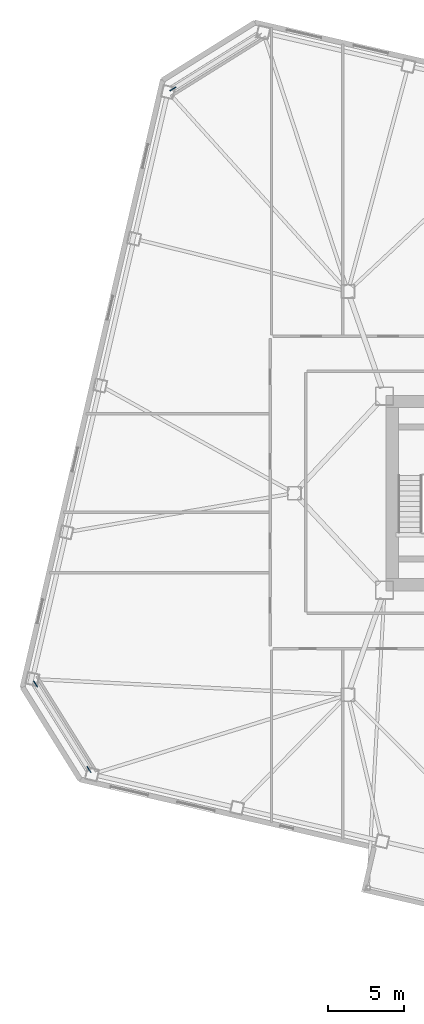
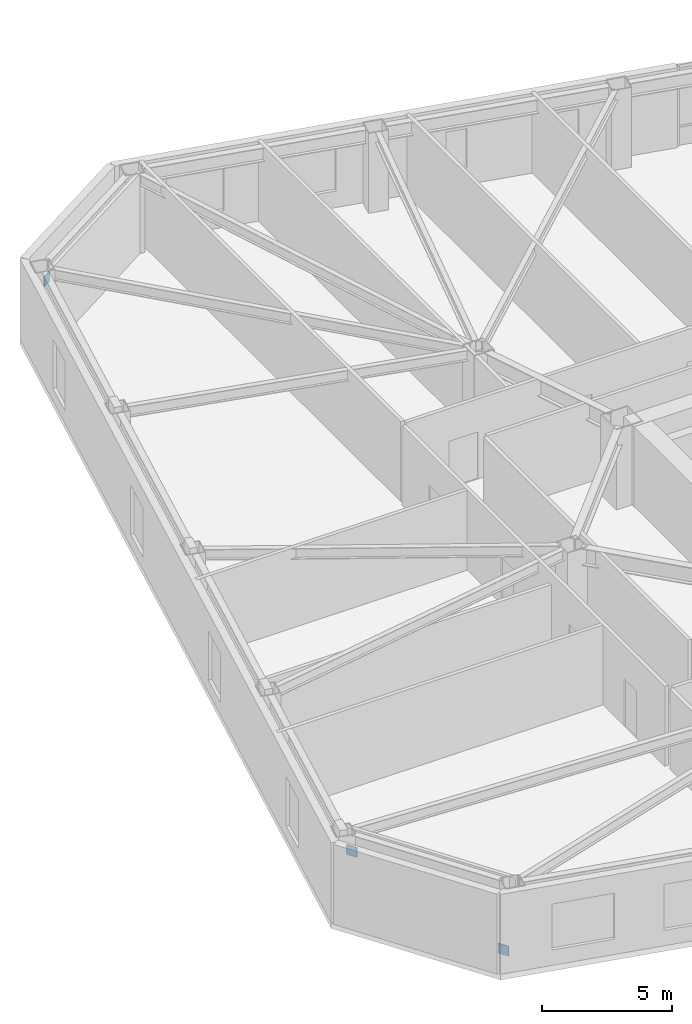
# One storey, part 14 of 18: 3 discrete accessories.
"""IFC4 building model written with IfcOpenShell, lengths in metres."""

from ifc_helpers import new_model, si_unit, direction, frame, origin, origin_2d, place, context, subcontext, project, spatial, rectangle, extrude, material, type_object, element, save


model = new_model("IFC4")

# Units and contexts
model_context = context("Model", 3, precision=1e-05, world=origin(), true_north=direction((0.0, 1.0)))
body_context = subcontext(model_context, "Body", "Model", "MODEL_VIEW")
ifc_project = project(units=[si_unit("LENGTHUNIT", "METRE"), si_unit("AREAUNIT", "SQUARE_METRE"), si_unit("VOLUMEUNIT", "CUBIC_METRE"), si_unit("PLANEANGLEUNIT", "RADIAN"), si_unit("MASSUNIT", "GRAM", prefix="KILO")], contexts=[model_context])

# Site, building, storey
site_placement = place(None, origin())
site = spatial("IfcSite", under=ifc_project, at=site_placement, CompositionType="ELEMENT")
building_placement = place(site_placement, origin())
building = spatial("IfcBuilding", under=site, at=building_placement, Name="Tavrogorsk Clinical Tower", CompositionType="ELEMENT")
storey_placement = place(building_placement, frame((0.0, 0.0, 51.39990234375)))
storey = spatial("IfcBuildingStorey", under=building, at=storey_placement, Name="L10", CompositionType="ELEMENT", Elevation=51.39990234375)

# Discrete accessories
ifc_material = material(Name="Structural steel S440", Category="steel")
discrete_accessory_type = type_object("IfcDiscreteAccessoryType", Name="GussetPlateBracket_25", PredefinedType="BRACKET", material=ifc_material)
for number, where, z_axis, x_axis, name in (
    (1, (-35.951904296875, 26.46240234375, 2.667724609375), (0.0, 0.0, 1.0), (-0.848048096156, -0.529919264233, 0.0), "L10 Brace Gusset Plate EXOCRN-L10-3-B"),
    (2, (-41.453857421875, -18.081787109375, 0.212646484375), (0.0, 0.0, 1.0), (-0.529919264233, 0.848048096156, 0.0), "L10 Brace Gusset Plate EXOCRN-L10-4-A"),
    (3, (-44.94580078125, -12.49365234375, 2.667724609375), (0.0, 0.0, 1.0), (-0.529919264233, 0.848048096156, 0.0), "L10 Brace Gusset Plate EXOCRN-L10-4-B"),
):
    element("IfcDiscreteAccessory", number, at=place(storey_placement, frame(where, z_axis=z_axis, x_axis=x_axis)), inside=storey, type_object=discrete_accessory_type, Name=name, PredefinedType="BRACKET", context=body_context, shape_type="SweptSolid", body=[
        extrude(rectangle(XDim=0.4599609375, YDim=0.0400390625, at=origin_2d()), origin(), (0.0, 0.0, 1.0), 0.4599609375),
    ])

save(model, "model.ifc")
